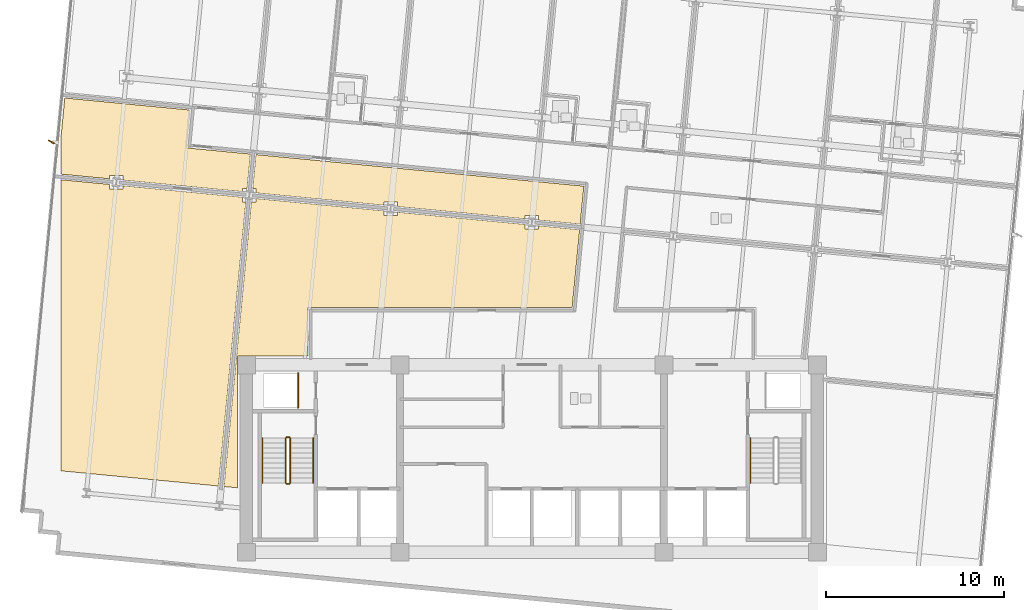
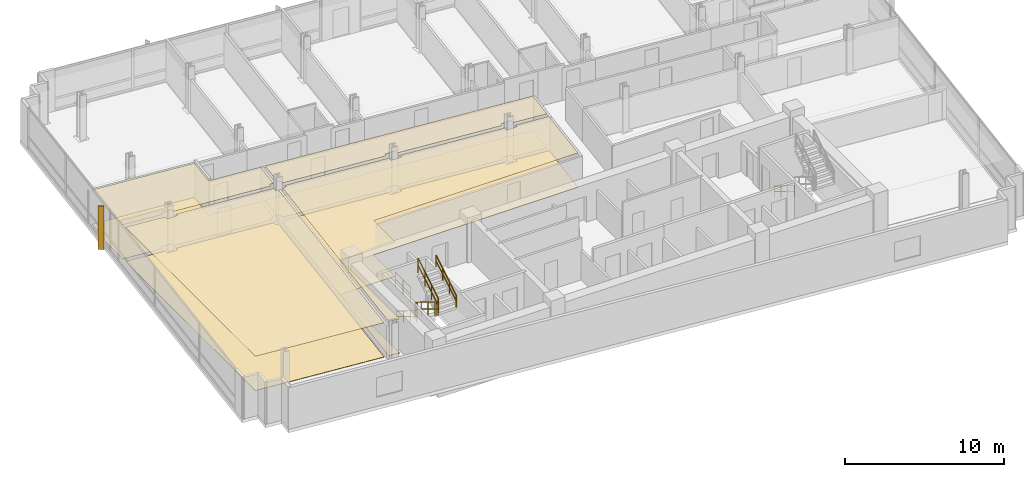
# One storey, part 14 of 17: 8 coverings, 8 railings, 1 shading device.
"""IFC4 building model written with IfcOpenShell, lengths in metres."""

from ifc_helpers import new_model, si_unit, direction, frame, origin, origin_2d, place, context, subcontext, project, spatial, polyline, rectangle, circle, outline, extrude, material, layer, layer_set, type_object, element, save


model = new_model("IFC4")

# Units and contexts
model_context = context("Model", 3, precision=1e-05, world=origin(), true_north=direction((0.0, 1.0)))
body_context = subcontext(model_context, "Body", "Model", "MODEL_VIEW")
ifc_project = project(units=[si_unit("LENGTHUNIT", "METRE"), si_unit("AREAUNIT", "SQUARE_METRE"), si_unit("VOLUMEUNIT", "CUBIC_METRE"), si_unit("PLANEANGLEUNIT", "RADIAN"), si_unit("MASSUNIT", "GRAM", prefix="KILO")], contexts=[model_context])

# Site, building, storey
site_placement = place(None, origin())
site = spatial("IfcSite", under=ifc_project, at=site_placement, CompositionType="ELEMENT")
building_placement = place(site_placement, origin())
building = spatial("IfcBuilding", under=site, at=building_placement, Name="Solmavex Isthmus Hotel", CompositionType="ELEMENT")
storey_placement = place(building_placement, frame((0.0, 0.0, 170.39990234375)))
storey = spatial("IfcBuildingStorey", under=building, at=storey_placement, Name="L46", CompositionType="ELEMENT", Elevation=170.39990234375)

# Coverings
ifc_material_1 = material(Name="Gypsum plasterboard lining", Category="gypsum")
ifc_layer_1 = layer(ifc_material_1, 0.030029296875)
ifc_layer_set_1 = layer_set([ifc_layer_1], Name="Gypsum plasterboard lining")
covering_type_1 = type_object("IfcCoveringType", Name="COV-CEIL-GYP", PredefinedType="CEILING", material=ifc_layer_set_1)
covering_1_placement = place(storey_placement, frame((0.0, 0.0, 2.6201171875)))
element("IfcCovering", 1, at=covering_1_placement, inside=storey, type_object=covering_type_1, Name="Suspended Acoustic Ceiling L46-FL10", PredefinedType="CEILING", context=body_context, shape_type="SweptSolid", body=[
    extrude(outline(polyline([(-16.217529296875, 7.207763671875), (-16.217529296875, 7.3955078125), (-15.95654296875, 7.3955078125), (-15.771728515625, 9.314697265625), (-19.355224609375, 9.65966796875), (-19.151123046875, 11.780029296875), (-26.176513671875, 12.45654296875), (-26.39990234375, 10.135986328125), (-26.39990234375, 8.188232421875), (-23.6708984375, 7.925537109375), (-23.6708984375, 8.113037109375), (-22.910888671875, 8.113037109375), (-22.910888671875, 7.852294921875), (-16.217529296875, 7.207763671875)])), origin(), (0.0, 0.0, 1.0), 0.030029296875),
])
covering_2_placement = place(storey_placement, frame((0.0, 0.0, 2.6201171875)))
element("IfcCovering", 2, at=covering_2_placement, inside=storey, type_object=covering_type_1, Name="Suspended Acoustic Ceiling L46-FL12", PredefinedType="CEILING", context=body_context, shape_type="SweptSolid", body=[
    extrude(outline(polyline([(-0.378662109375, 5.6826171875), (-0.378662109375, 5.870361328125), (0.38134765625, 5.870361328125), (0.38134765625, 5.609375), (2.706787109375, 5.385498046875), (2.911865234375, 7.515625), (-15.463134765625, 9.284912109375), (-15.645263671875, 7.3955078125), (-15.45751953125, 7.3955078125), (-15.45751953125, 7.134521484375), (-8.298095703125, 6.445068359375), (-8.298095703125, 6.6328125), (-7.5380859375, 6.6328125), (-7.5380859375, 6.3720703125), (-0.378662109375, 5.6826171875)])), origin(), (0.0, 0.0, 1.0), 0.030029296875),
])
covering_3_placement = place(storey_placement, frame((0.0, 0.0, 2.6201171875)))
element("IfcCovering", 3, at=covering_3_placement, inside=storey, type_object=covering_type_1, Name="Suspended Acoustic Ceiling L46-FL16", PredefinedType="CEILING", context=body_context, shape_type="SweptSolid", body=[
    extrude(outline(polyline([(-15.45751953125, 6.822998046875), (-15.45751953125, 6.635498046875), (-15.71826171875, 6.635498046875), (-17.254638671875, -9.31884765625), (-16.5048828125, -9.39111328125), (-16.5048828125, -1.9951171875), (-12.554931640625, -1.9951171875), (-12.554931640625, 0.705078125), (2.256103515625, 0.705078125), (2.677001953125, 5.076904296875), (0.38134765625, 5.298095703125), (0.38134765625, 5.1103515625), (-0.378662109375, 5.1103515625), (-0.378662109375, 5.37109375), (-7.5380859375, 6.060546875), (-7.5380859375, 5.872802734375), (-8.298095703125, 5.872802734375), (-8.298095703125, 6.1337890625), (-15.45751953125, 6.822998046875)])), origin(), (0.0, 0.0, 1.0), 0.030029296875),
])
covering_4_placement = place(storey_placement, frame((0.0, 0.0, 2.6201171875)))
element("IfcCovering", 4, at=covering_4_placement, inside=storey, type_object=covering_type_1, Name="Suspended Acoustic Ceiling L46-FL17", PredefinedType="CEILING", context=body_context, shape_type="SweptSolid", body=[
    extrude(outline(polyline([(-22.910888671875, 7.540771484375), (-22.910888671875, 7.35302734375), (-23.6708984375, 7.35302734375), (-23.6708984375, 7.614013671875), (-26.39990234375, 7.876708984375), (-26.39990234375, -8.438232421875), (-17.563232421875, -9.289306640625), (-16.02978515625, 6.635498046875), (-16.217529296875, 6.635498046875), (-16.217529296875, 6.896240234375), (-22.910888671875, 7.540771484375)])), origin(), (0.0, 0.0, 1.0), 0.030029296875),
])
ifc_material_2 = material(Name="Travertine natural stone", Category="masonry")
ifc_layer_2 = layer(ifc_material_2, 0.02490234375)
ifc_layer_set_2 = layer_set([ifc_layer_2], Name="Travertine natural stone")
covering_type_2 = type_object("IfcCoveringType", Name="COV-FLOR-STN", PredefinedType="FLOORING", material=ifc_layer_set_2)
covering_5_placement = place(storey_placement, origin())
element("IfcCovering", 5, at=covering_5_placement, inside=storey, type_object=covering_type_2, Name="Stone and Timber Floor Finish L46-FL10", PredefinedType="FLOORING", context=body_context, shape_type="SweptSolid", body=[
    extrude(outline(polyline([(-16.217529296875, 7.207763671875), (-16.217529296875, 7.3955078125), (-15.95654296875, 7.3955078125), (-15.771728515625, 9.314697265625), (-19.355224609375, 9.65966796875), (-19.151123046875, 11.780029296875), (-26.176513671875, 12.45654296875), (-26.39990234375, 10.135986328125), (-26.39990234375, 8.188232421875), (-23.6708984375, 7.925537109375), (-23.6708984375, 8.113037109375), (-22.910888671875, 8.113037109375), (-22.910888671875, 7.852294921875), (-16.217529296875, 7.207763671875)])), origin(), (0.0, 0.0, 1.0), 0.025146484375),
])
covering_6_placement = place(storey_placement, origin())
element("IfcCovering", 6, at=covering_6_placement, inside=storey, type_object=covering_type_2, Name="Stone and Timber Floor Finish L46-FL12", PredefinedType="FLOORING", context=body_context, shape_type="SweptSolid", body=[
    extrude(outline(polyline([(-0.378662109375, 5.6826171875), (-0.378662109375, 5.870361328125), (0.38134765625, 5.870361328125), (0.38134765625, 5.609375), (2.706787109375, 5.385498046875), (2.911865234375, 7.515625), (-15.463134765625, 9.284912109375), (-15.645263671875, 7.3955078125), (-15.45751953125, 7.3955078125), (-15.45751953125, 7.134521484375), (-8.298095703125, 6.445068359375), (-8.298095703125, 6.6328125), (-7.5380859375, 6.6328125), (-7.5380859375, 6.3720703125), (-0.378662109375, 5.6826171875)])), origin(), (0.0, 0.0, 1.0), 0.025146484375),
])
covering_7_placement = place(storey_placement, origin())
element("IfcCovering", 7, at=covering_7_placement, inside=storey, type_object=covering_type_2, Name="Stone and Timber Floor Finish L46-FL16", PredefinedType="FLOORING", context=body_context, shape_type="SweptSolid", body=[
    extrude(outline(polyline([(-15.45751953125, 6.822998046875), (-15.45751953125, 6.635498046875), (-15.71826171875, 6.635498046875), (-17.254638671875, -9.31884765625), (-16.5048828125, -9.39111328125), (-16.5048828125, -1.9951171875), (-12.554931640625, -1.9951171875), (-12.554931640625, 0.705078125), (2.256103515625, 0.705078125), (2.677001953125, 5.076904296875), (0.38134765625, 5.298095703125), (0.38134765625, 5.1103515625), (-0.378662109375, 5.1103515625), (-0.378662109375, 5.37109375), (-7.5380859375, 6.060546875), (-7.5380859375, 5.872802734375), (-8.298095703125, 5.872802734375), (-8.298095703125, 6.1337890625), (-15.45751953125, 6.822998046875)])), origin(), (0.0, 0.0, 1.0), 0.025146484375),
])
covering_8_placement = place(storey_placement, origin())
element("IfcCovering", 8, at=covering_8_placement, inside=storey, type_object=covering_type_2, Name="Stone and Timber Floor Finish L46-FL17", PredefinedType="FLOORING", context=body_context, shape_type="SweptSolid", body=[
    extrude(outline(polyline([(-22.910888671875, 7.540771484375), (-22.910888671875, 7.35302734375), (-23.6708984375, 7.35302734375), (-23.6708984375, 7.614013671875), (-26.39990234375, 7.876708984375), (-26.39990234375, -8.438232421875), (-17.563232421875, -9.289306640625), (-16.02978515625, 6.635498046875), (-16.217529296875, 6.635498046875), (-16.217529296875, 6.896240234375), (-22.910888671875, 7.540771484375)])), origin(), (0.0, 0.0, 1.0), 0.025146484375),
])

# Railings
ifc_material_3 = material(Name="Clear low-E laminated glass", Category="glass")
ifc_layer_3 = layer(ifc_material_3, 0.080078125)
ifc_layer_set_3 = layer_set([ifc_layer_3], Name="Clear low-E laminated glass")
railing_type_1 = type_object("IfcRailingType", Name="RAIL-ATRIUM-1120", PredefinedType="BALUSTRADE", material=ifc_layer_set_3)
railing_1_placement = place(storey_placement, frame((-13.10009765625, -4.89990234375, 0.0)))
element("IfcRailing", 9, at=railing_1_placement, inside=storey, type_object=railing_type_1, Name="Guardrail Balustrade L46-RSW-01", PredefinedType="BALUSTRADE", context=body_context, shape_type="SweptSolid", body=[
    extrude(circle(Radius=0.02392578125, at=origin_2d()), frame((0.0, 0.0, 1.1259765625), z_axis=(0.0, 1.0, 0.0), x_axis=(-1.0, 0.0, 0.0)), (0.0, 0.0, 1.0), 1.949951171875),
    extrude(circle(Radius=0.02392578125, at=origin_2d()), frame((0.0, 0.0, 0.574951171875), z_axis=(0.0, 1.0, 0.0), x_axis=(-1.0, 0.0, 0.0)), (0.0, 0.0, 1.0), 1.949951171875),
    extrude(circle(Radius=0.02099609375, at=origin_2d()), origin(), (0.0, 0.0, 1.0), 1.101806640625),
    extrude(circle(Radius=0.02099609375, at=origin_2d()), frame((0.0, 0.97509765625, 0.0)), (0.0, 0.0, 1.0), 1.101806640625),
    extrude(circle(Radius=0.02099609375, at=origin_2d()), frame((0.0, 1.949951171875, 0.0)), (0.0, 0.0, 1.0), 1.101806640625),
])
ifc_material_4 = material(Name="Stainless steel 316", Category="steel")
ifc_layer_4 = layer(ifc_material_4, 0.06005859375)
ifc_layer_set_4 = layer_set([ifc_layer_4], Name="Stainless steel 316")
railing_type_2 = type_object("IfcRailingType", Name="RAIL-STAIR-GD", PredefinedType="GUARDRAIL", material=ifc_layer_set_4)
railing_2_placement = place(storey_placement, frame((-13.800048828125, -6.60009765625, 0.172607421875)))
element("IfcRailing", 10, at=railing_2_placement, inside=storey, type_object=railing_type_2, Name="L46 ST-1 stair guard 1", PredefinedType="GUARDRAIL", context=body_context, shape_type="SweptSolid", body=[
    extrude(circle(Radius=0.02392578125, at=origin_2d()), frame((0.0, 0.0, 1.09619140625), z_axis=(0.0, -0.851400495292, 0.524516154772), x_axis=(1.0, 0.0, 0.0)), (0.0, 0.0, 1.0), 2.9599609375),
    extrude(circle(Radius=0.02392578125, at=origin_2d()), frame((0.0, 0.0, 0.56005859375), z_axis=(0.0, -0.851400495292, 0.524516154772), x_axis=(1.0, 0.0, 0.0)), (0.0, 0.0, 1.0), 2.9599609375),
    extrude(circle(Radius=0.02099609375, at=origin_2d()), origin(), (0.0, 0.0, 1.0), 1.072021484375),
    extrude(circle(Radius=0.02099609375, at=origin_2d()), frame((0.0, -0.840087890625, 0.517578125)), (0.0, 0.0, 1.0), 1.072021484375),
    extrude(circle(Radius=0.02099609375, at=origin_2d()), frame((0.0, -1.679931640625, 1.034912109375)), (0.0, 0.0, 1.0), 1.072021484375),
    extrude(circle(Radius=0.02099609375, at=origin_2d()), frame((0.0, -2.52001953125, 1.552490234375)), (0.0, 0.0, 1.0), 1.072021484375),
])
railing_3_placement = place(storey_placement, frame((-13.75, -9.169921875, 1.72509765625)))
element("IfcRailing", 11, at=railing_3_placement, inside=storey, type_object=railing_type_2, Name="L46 ST-1 stair guard 2", PredefinedType="GUARDRAIL", context=body_context, shape_type="SweptSolid", body=[
    extrude(circle(Radius=0.02392578125, at=origin_2d()), frame((0.0, 0.0, 1.09619140625), z_axis=(1.0, 0.0, 0.0), x_axis=(0.0, 1.0, 0.0)), (0.0, 0.0, 1.0), 0.14990234375),
    extrude(circle(Radius=0.02392578125, at=origin_2d()), frame((0.0, 0.0, 0.56005859375), z_axis=(1.0, 0.0, 0.0), x_axis=(0.0, 1.0, 0.0)), (0.0, 0.0, 1.0), 0.14990234375),
    extrude(circle(Radius=0.02099609375, at=origin_2d()), origin(), (0.0, 0.0, 1.0), 1.072021484375),
    extrude(circle(Radius=0.02099609375, at=origin_2d()), frame((0.14990234375, 0.0, 0.0)), (0.0, 0.0, 1.0), 1.072021484375),
])
railing_4_placement = place(storey_placement, frame((-13.550048828125, -9.1201171875, 1.897705078125)))
element("IfcRailing", 12, at=railing_4_placement, inside=storey, type_object=railing_type_2, Name="L46 ST-1 stair guard 3", PredefinedType="GUARDRAIL", context=body_context, shape_type="SweptSolid", body=[
    extrude(circle(Radius=0.02392578125, at=origin_2d()), frame((0.0, 0.0, 1.09619140625), z_axis=(0.0, 0.851400495292, 0.524516154772), x_axis=(-1.0, 0.0, 0.0)), (0.0, 0.0, 1.0), 2.9599609375),
    extrude(circle(Radius=0.02392578125, at=origin_2d()), frame((0.0, 0.0, 0.56005859375), z_axis=(0.0, 0.851400495292, 0.524516154772), x_axis=(-1.0, 0.0, 0.0)), (0.0, 0.0, 1.0), 2.9599609375),
    extrude(circle(Radius=0.02099609375, at=origin_2d()), origin(), (0.0, 0.0, 1.0), 1.072021484375),
    extrude(circle(Radius=0.02099609375, at=origin_2d()), frame((0.0, 0.840087890625, 0.517578125)), (0.0, 0.0, 1.0), 1.072021484375),
    extrude(circle(Radius=0.02099609375, at=origin_2d()), frame((0.0, 1.679931640625, 1.034912109375)), (0.0, 0.0, 1.0), 1.072021484375),
    extrude(circle(Radius=0.02099609375, at=origin_2d()), frame((0.0, 2.52001953125, 1.552490234375)), (0.0, 0.0, 1.0), 1.072021484375),
])
railing_5_placement = place(storey_placement, frame((-13.75, -6.550048828125, 0.0)))
element("IfcRailing", 13, at=railing_5_placement, inside=storey, type_object=railing_type_2, Name="L46 ST-1 stair guard 4", PredefinedType="GUARDRAIL", context=body_context, shape_type="SweptSolid", body=[
    extrude(circle(Radius=0.02392578125, at=origin_2d()), frame((0.0, 0.0, 1.09619140625), z_axis=(1.0, 0.0, 0.0), x_axis=(0.0, 1.0, 0.0)), (0.0, 0.0, 1.0), 0.14990234375),
    extrude(circle(Radius=0.02392578125, at=origin_2d()), frame((0.0, 0.0, 0.56005859375), z_axis=(1.0, 0.0, 0.0), x_axis=(0.0, 1.0, 0.0)), (0.0, 0.0, 1.0), 0.14990234375),
    extrude(circle(Radius=0.02099609375, at=origin_2d()), origin(), (0.0, 0.0, 1.0), 1.072021484375),
    extrude(circle(Radius=0.02099609375, at=origin_2d()), frame((0.14990234375, 0.0, 0.0)), (0.0, 0.0, 1.0), 1.072021484375),
])
ifc_layer_5 = layer(ifc_material_4, 0.050048828125)
ifc_layer_set_5 = layer_set([ifc_layer_5], Name="Stainless steel 316")
railing_type_3 = type_object("IfcRailingType", Name="RAIL-STAIR-HR", PredefinedType="HANDRAIL", material=ifc_layer_set_5)
railing_6_placement = place(storey_placement, frame((-15.10009765625, -6.60009765625, 0.172607421875)))
element("IfcRailing", 14, at=railing_6_placement, inside=storey, type_object=railing_type_3, Name="L46 ST-1 stair handrail 1", PredefinedType="HANDRAIL", context=body_context, shape_type="SweptSolid", body=[
    extrude(circle(Radius=0.02392578125, at=origin_2d()), frame((0.0, 0.0, 0.8759765625), z_axis=(0.0, -0.851400495292, 0.524516154772), x_axis=(1.0, 0.0, 0.0)), (0.0, 0.0, 1.0), 2.9599609375),
    extrude(circle(Radius=0.02392578125, at=origin_2d()), frame((0.0, 0.0, 0.449951171875), z_axis=(0.0, -0.851400495292, 0.524516154772), x_axis=(1.0, 0.0, 0.0)), (0.0, 0.0, 1.0), 2.9599609375),
    extrude(circle(Radius=0.02099609375, at=origin_2d()), origin(), (0.0, 0.0, 1.0), 0.851806640625),
    extrude(circle(Radius=0.02099609375, at=origin_2d()), frame((0.0, -0.840087890625, 0.517578125)), (0.0, 0.0, 1.0), 0.851806640625),
    extrude(circle(Radius=0.02099609375, at=origin_2d()), frame((0.0, -1.679931640625, 1.034912109375)), (0.0, 0.0, 1.0), 0.851806640625),
    extrude(circle(Radius=0.02099609375, at=origin_2d()), frame((0.0, -2.52001953125, 1.552490234375)), (0.0, 0.0, 1.0), 0.851806640625),
])
railing_7_placement = place(storey_placement, frame((-12.25, -9.1201171875, 1.897705078125)))
element("IfcRailing", 15, at=railing_7_placement, inside=storey, type_object=railing_type_3, Name="L46 ST-1 stair handrail 2", PredefinedType="HANDRAIL", context=body_context, shape_type="SweptSolid", body=[
    extrude(circle(Radius=0.02392578125, at=origin_2d()), frame((0.0, 0.0, 0.8759765625), z_axis=(0.0, 0.851400495292, 0.524516154772), x_axis=(-1.0, 0.0, 0.0)), (0.0, 0.0, 1.0), 2.9599609375),
    extrude(circle(Radius=0.02392578125, at=origin_2d()), frame((0.0, 0.0, 0.449951171875), z_axis=(0.0, 0.851400495292, 0.524516154772), x_axis=(-1.0, 0.0, 0.0)), (0.0, 0.0, 1.0), 2.9599609375),
    extrude(circle(Radius=0.02099609375, at=origin_2d()), origin(), (0.0, 0.0, 1.0), 0.851806640625),
    extrude(circle(Radius=0.02099609375, at=origin_2d()), frame((0.0, 0.840087890625, 0.517578125)), (0.0, 0.0, 1.0), 0.851806640625),
    extrude(circle(Radius=0.02099609375, at=origin_2d()), frame((0.0, 1.679931640625, 1.034912109375)), (0.0, 0.0, 1.0), 0.851806640625),
    extrude(circle(Radius=0.02099609375, at=origin_2d()), frame((0.0, 2.52001953125, 1.552490234375)), (0.0, 0.0, 1.0), 0.851806640625),
])
railing_8_placement = place(storey_placement, frame((12.25, -6.60009765625, 0.172607421875)))
element("IfcRailing", 16, at=railing_8_placement, inside=storey, type_object=railing_type_3, Name="L46 ST-2 stair handrail 1", PredefinedType="HANDRAIL", context=body_context, shape_type="SweptSolid", body=[
    extrude(circle(Radius=0.02392578125, at=origin_2d()), frame((0.0, 0.0, 0.8759765625), z_axis=(0.0, -0.851400495292, 0.524516154772), x_axis=(1.0, 0.0, 0.0)), (0.0, 0.0, 1.0), 2.9599609375),
    extrude(circle(Radius=0.02392578125, at=origin_2d()), frame((0.0, 0.0, 0.449951171875), z_axis=(0.0, -0.851400495292, 0.524516154772), x_axis=(1.0, 0.0, 0.0)), (0.0, 0.0, 1.0), 2.9599609375),
    extrude(circle(Radius=0.02099609375, at=origin_2d()), origin(), (0.0, 0.0, 1.0), 0.851806640625),
    extrude(circle(Radius=0.02099609375, at=origin_2d()), frame((0.0, -0.840087890625, 0.517578125)), (0.0, 0.0, 1.0), 0.851806640625),
    extrude(circle(Radius=0.02099609375, at=origin_2d()), frame((0.0, -1.679931640625, 1.034912109375)), (0.0, 0.0, 1.0), 0.851806640625),
    extrude(circle(Radius=0.02099609375, at=origin_2d()), frame((0.0, -2.52001953125, 1.552490234375)), (0.0, 0.0, 1.0), 0.851806640625),
])

# Shading device
ifc_material_5 = material(Name="Aluminium alloy 6063-T6", Category="aluminium")
shading_device_type = type_object("IfcShadingDeviceType", Name="SHD-FIN-CHAMP", PredefinedType="USERDEFINED", material=ifc_material_5)
shading_device_placement = place(storey_placement, frame((-26.93115234375, 9.992431640625, -0.139892578125), z_axis=(0.0, 0.0, 1.0), x_axis=(-0.87035569594, 0.492423560103, 0.0)))
element("IfcShadingDevice", 17, at=shading_device_placement, inside=storey, type_object=shading_device_type, Name="Anodised Aluminium Solar Fin L46-W1", ObjectType="SOLAR_FIN", PredefinedType="USERDEFINED", context=body_context, shape_type="SweptSolid", body=[
    extrude(rectangle(XDim=0.3798828125, YDim=0.070068359375, at=origin_2d()), origin(), (0.0, 0.0, 1.0), 3.330078125),
])

save(model, "model.ifc")
